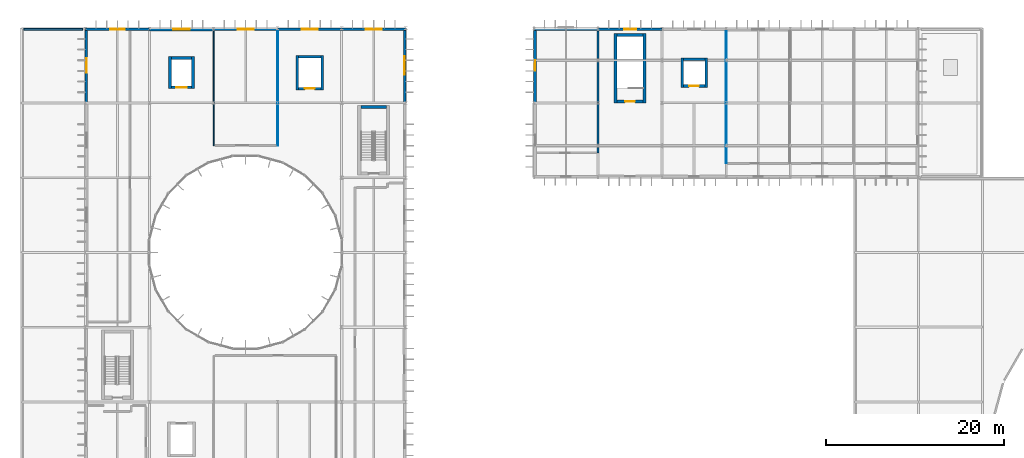
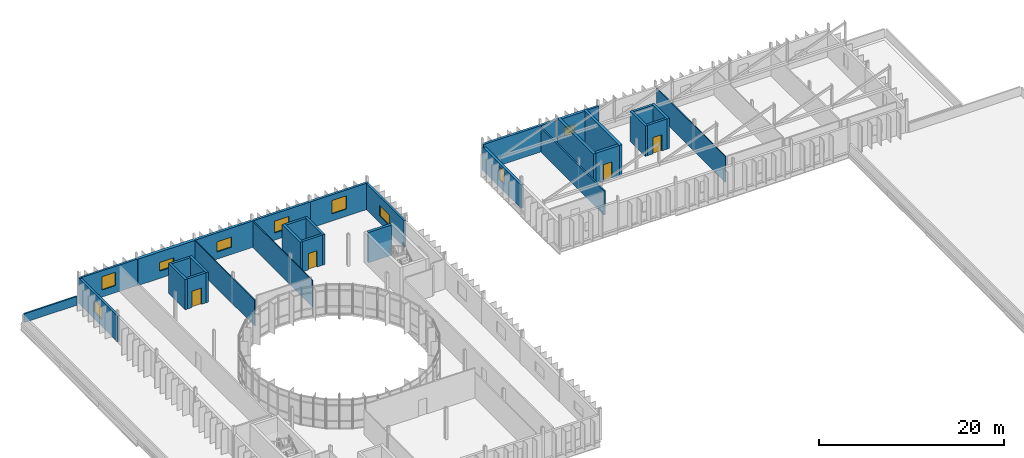
# One storey, part 41 of 52: 32 walls, 9 windows, 4 doors, 13 openings.
"""IFC4 building model written with IfcOpenShell, lengths in metres."""

from ifc_helpers import new_model, si_unit, direction, frame, frame_2d, origin, place, context, subcontext, project, spatial, rectangle, extrude, material, layer, layer_set, type_object, element, fill, save


model = new_model("IFC4")

# Units and contexts
model_context = context("Model", 3, precision=1e-05, world=origin(), true_north=direction((0.0, 1.0)))
body_context = subcontext(model_context, "Body", "Model", "MODEL_VIEW")
ifc_project = project(units=[si_unit("LENGTHUNIT", "METRE"), si_unit("AREAUNIT", "SQUARE_METRE"), si_unit("VOLUMEUNIT", "CUBIC_METRE"), si_unit("PLANEANGLEUNIT", "RADIAN"), si_unit("MASSUNIT", "GRAM", prefix="KILO")], contexts=[model_context])

# Site, building, storey
site_placement = place(None, origin())
site = spatial("IfcSite", under=ifc_project, at=site_placement, CompositionType="ELEMENT")
building_placement = place(site_placement, origin())
building = spatial("IfcBuilding", under=site, at=building_placement, Name="Qelthora Terrace Specialist Clinic", CompositionType="ELEMENT")
storey_placement = place(building_placement, frame((0.0, 0.0, 17.39990234375)))
storey = spatial("IfcBuildingStorey", under=building, at=storey_placement, Name="L04", CompositionType="ELEMENT", Elevation=17.39990234375)

# Walls
ifc_material_1 = material(Name="Concrete C40/50", Category="concrete")
ifc_layer_1 = layer(ifc_material_1, 0.300048828125)
ifc_layer_set_1 = layer_set([ifc_layer_1], Name="Concrete C40/50")
wall_type_1 = type_object("IfcWallType", Name="WAL-CORE-300-C40", PredefinedType="SHEAR", material=ifc_layer_set_1)
for number, where, z_axis, x_axis, name in (
    (1, (31.0, 102.25, 0.0), (0.0, 0.0, 1.0), (0.0, 1.0, 0.0), "Lift SL-02 L04 west shaft wall"),
    (2, (33.800048828125, 102.25, 0.0), (0.0, 0.0, 1.0), (0.0, 1.0, 0.0), "Lift SL-02 L04 east shaft wall"),
):
    element("IfcWall", number, at=place(storey_placement, frame(where, z_axis=z_axis, x_axis=x_axis)), inside=storey, type_object=wall_type_1, Name=name, PredefinedType="SHEAR", context=body_context, shape_type="SweptSolid", body=[
        extrude(rectangle(XDim=3.89990234375, YDim=0.300048828125, at=frame_2d((1.949951171875, 0.0))), origin(), (0.0, 0.0, 1.0), 3.989990234375),
    ])
wall_1_placement = place(storey_placement, frame((31.14990234375, 106.0, 0.0), z_axis=(0.0, 0.0, 1.0), x_axis=(1.0, 0.0, 0.0)))
element("IfcWall", 3, at=wall_1_placement, inside=storey, type_object=wall_type_1, Name="Lift SL-02 L04 north shaft wall", PredefinedType="SHEAR", context=body_context, shape_type="SweptSolid", body=[
    extrude(rectangle(XDim=2.5, YDim=0.300048828125, at=frame_2d((1.25, 0.0))), origin(), (0.0, 0.0, 1.0), 3.989990234375),
])

# Wall, opening, door
wall_2_placement = place(storey_placement, frame((31.14990234375, 102.39990234375, 0.0), z_axis=(0.0, 0.0, 1.0), x_axis=(1.0, 0.0, 0.0)))
wall_2 = element("IfcWall", 4, at=wall_2_placement, inside=storey, type_object=wall_type_1, Name="Lift SL-02 L04 south shaft wall", PredefinedType="SHEAR", context=body_context, shape_type="SweptSolid", body=[
    extrude(rectangle(XDim=2.5, YDim=0.300048828125, at=frame_2d((1.25, 0.0))), origin(), (0.0, 0.0, 1.0), 3.989990234375),
])
opening_1_placement = place(wall_2_placement, frame((0.699951171875, 0.0, 0.0)))
opening_1 = element("IfcOpeningElement", 5, at=opening_1_placement, cuts=wall_2, Name="Opening LD-SL-02-L04", PredefinedType="OPENING", context=body_context, shape_type="SweptSolid", body=[
    extrude(rectangle(XDim=1.10009765625, YDim=2.14990234375, at=frame_2d((0.550048828125, 1.074951171875))), frame((0.0, 0.159912109375, 0.0), z_axis=(0.0, -1.0, 0.0), x_axis=(1.0, 0.0, 0.0)), (0.0, 0.0, 1.0), 0.320068359375),
])
ifc_material_2 = material(Name="Steel S355", Category="steel")
door_type_1 = type_object("IfcDoorType", Name="DOR-LIFT-1100X2150", OperationType="NOTDEFINED", PredefinedType="DOOR", material=ifc_material_2)
door_1_placement = place(opening_1_placement, origin())
door_1 = element("IfcDoor", 6, at=door_1_placement, inside=storey, type_object=door_type_1, Name="Lift landing sliding door LD-SL-02-L04", OperationType="DOUBLE_DOOR_SLIDING", OverallHeight=2.14990234375, OverallWidth=1.10009765625, PredefinedType="DOOR", context=body_context, shape_type="SweptSolid", body=[
    extrude(rectangle(XDim=1.10009765625, YDim=2.14990234375, at=frame_2d((0.550048828125, 1.074951171875))), frame((0.0, 0.02490234375, 0.0), z_axis=(0.0, -1.0, 0.0), x_axis=(1.0, 0.0, 0.0)), (0.0, 0.0, 1.0), 0.050048828125),
])
fill(opening_1, door_1)

# Walls
for number, where, z_axis, x_axis, name in (
    (7, (74.25, 102.550048828125, 0.0), (0.0, 0.0, 1.0), (0.0, 1.0, 0.0), "Lift PL-04 L04 west shaft wall"),
    (8, (76.949951171875, 102.550048828125, 0.0), (0.0, 0.0, 1.0), (0.0, 1.0, 0.0), "Lift PL-04 L04 east shaft wall"),
):
    element("IfcWall", number, at=place(storey_placement, frame(where, z_axis=z_axis, x_axis=x_axis)), inside=storey, type_object=wall_type_1, Name=name, PredefinedType="SHEAR", context=body_context, shape_type="SweptSolid", body=[
        extrude(rectangle(XDim=3.300048828125, YDim=0.300048828125, at=frame_2d((1.64990234375, 0.0))), origin(), (0.0, 0.0, 1.0), 4.0),
    ])
wall_3_placement = place(storey_placement, frame((74.39990234375, 105.699951171875, 0.0), z_axis=(0.0, 0.0, 1.0), x_axis=(1.0, 0.0, 0.0)))
element("IfcWall", 9, at=wall_3_placement, inside=storey, type_object=wall_type_1, Name="Lift PL-04 L04 north shaft wall", PredefinedType="SHEAR", context=body_context, shape_type="SweptSolid", body=[
    extrude(rectangle(XDim=2.400146484375, YDim=0.300048828125, at=frame_2d((1.2001953125, 0.0))), origin(), (0.0, 0.0, 1.0), 4.0),
])

# Wall, opening, door
wall_4_placement = place(storey_placement, frame((74.39990234375, 102.699951171875, 0.0), z_axis=(0.0, 0.0, 1.0), x_axis=(1.0, 0.0, 0.0)))
wall_4 = element("IfcWall", 10, at=wall_4_placement, inside=storey, type_object=wall_type_1, Name="Lift PL-04 L04 south shaft wall", PredefinedType="SHEAR", context=body_context, shape_type="SweptSolid", body=[
    extrude(rectangle(XDim=2.400146484375, YDim=0.300048828125, at=frame_2d((1.2001953125, 0.0))), origin(), (0.0, 0.0, 1.0), 4.0),
])
opening_2_placement = place(wall_4_placement, frame((0.64990234375, 0.0, 0.0)))
opening_2 = element("IfcOpeningElement", 11, at=opening_2_placement, cuts=wall_4, Name="Opening LD-PL-04-L04", PredefinedType="OPENING", context=body_context, shape_type="SweptSolid", body=[
    extrude(rectangle(XDim=1.10009765625, YDim=2.14990234375, at=frame_2d((0.550048828125, 1.074951171875))), frame((0.0, 0.159912109375, 0.0), z_axis=(0.0, -1.0, 0.0), x_axis=(1.0, 0.0, 0.0)), (0.0, 0.0, 1.0), 0.320068359375),
])
door_2_placement = place(opening_2_placement, origin())
door_2 = element("IfcDoor", 12, at=door_2_placement, inside=storey, type_object=door_type_1, Name="Lift landing sliding door LD-PL-04-L04", OperationType="DOUBLE_DOOR_SLIDING", OverallHeight=2.14990234375, OverallWidth=1.10009765625, PredefinedType="DOOR", context=body_context, shape_type="SweptSolid", body=[
    extrude(rectangle(XDim=1.10009765625, YDim=2.14990234375, at=frame_2d((0.550048828125, 1.074951171875))), frame((0.0, 0.02490234375, 0.0), z_axis=(0.0, -1.0, 0.0), x_axis=(1.0, 0.0, 0.0)), (0.0, 0.0, 1.0), 0.050048828125),
])
fill(opening_2, door_2)

# Walls
for number, where, z_axis, x_axis, name in (
    (13, (16.699951171875, 102.39990234375, 0.0), (0.0, 0.0, 1.0), (0.0, 1.0, 0.0), "Lift GL-01 L04 west shaft wall"),
    (14, (19.300048828125, 102.39990234375, 0.0), (0.0, 0.0, 1.0), (0.0, 1.0, 0.0), "Lift GL-01 L04 east shaft wall"),
):
    element("IfcWall", number, at=place(storey_placement, frame(where, z_axis=z_axis, x_axis=x_axis)), inside=storey, type_object=wall_type_1, Name=name, PredefinedType="SHEAR", context=body_context, shape_type="SweptSolid", body=[
        extrude(rectangle(XDim=3.60009765625, YDim=0.300048828125, at=frame_2d((1.800048828125, 0.0))), origin(), (0.0, 0.0, 1.0), 3.97509765625),
    ])
wall_5_placement = place(storey_placement, frame((16.85009765625, 105.85009765625, 0.0), z_axis=(0.0, 0.0, 1.0), x_axis=(1.0, 0.0, 0.0)))
element("IfcWall", 15, at=wall_5_placement, inside=storey, type_object=wall_type_1, Name="Lift GL-01 L04 north shaft wall", PredefinedType="SHEAR", context=body_context, shape_type="SweptSolid", body=[
    extrude(rectangle(XDim=2.2998046875, YDim=0.300048828125, at=frame_2d((1.14990234375, 0.0))), origin(), (0.0, 0.0, 1.0), 3.97509765625),
])

# Wall, opening, door
wall_6_placement = place(storey_placement, frame((16.85009765625, 102.550048828125, 0.0), z_axis=(0.0, 0.0, 1.0), x_axis=(1.0, 0.0, 0.0)))
wall_6 = element("IfcWall", 16, at=wall_6_placement, inside=storey, type_object=wall_type_1, Name="Lift GL-01 L04 south shaft wall", PredefinedType="SHEAR", context=body_context, shape_type="SweptSolid", body=[
    extrude(rectangle(XDim=2.2998046875, YDim=0.300048828125, at=frame_2d((1.14990234375, 0.0))), origin(), (0.0, 0.0, 1.0), 3.97509765625),
])
opening_3_placement = place(wall_6_placement, frame((0.550048828125, 0.0, 0.0)))
opening_3 = element("IfcOpeningElement", 17, at=opening_3_placement, cuts=wall_6, Name="Opening LD-GL-01-L04", PredefinedType="OPENING", context=body_context, shape_type="SweptSolid", body=[
    extrude(rectangle(XDim=1.199951171875, YDim=2.14990234375, at=frame_2d((0.60009765625, 1.074951171875))), frame((0.0, 0.159912109375, 0.0), z_axis=(0.0, -1.0, 0.0), x_axis=(1.0, 0.0, 0.0)), (0.0, 0.0, 1.0), 0.320068359375),
])
door_type_2 = type_object("IfcDoorType", Name="DOR-LIFT-1200X2150", OperationType="NOTDEFINED", PredefinedType="DOOR", material=ifc_material_2)
door_3_placement = place(opening_3_placement, origin())
door_3 = element("IfcDoor", 18, at=door_3_placement, inside=storey, type_object=door_type_2, Name="Lift landing sliding door LD-GL-01-L04", OperationType="DOUBLE_DOOR_SLIDING", OverallHeight=2.14990234375, OverallWidth=1.199951171875, PredefinedType="DOOR", context=body_context, shape_type="SweptSolid", body=[
    extrude(rectangle(XDim=1.199951171875, YDim=2.14990234375, at=frame_2d((0.60009765625, 1.074951171875))), frame((0.0, 0.02490234375, 0.0), z_axis=(0.0, -1.0, 0.0), x_axis=(1.0, 0.0, 0.0)), (0.0, 0.0, 1.0), 0.050048828125),
])
fill(opening_3, door_3)

# Walls
ifc_layer_2 = layer(ifc_material_1, 0.35009765625)
ifc_layer_set_2 = layer_set([ifc_layer_2], Name="Concrete C40/50")
wall_type_2 = type_object("IfcWallType", Name="WAL-CORE-350-C40", PredefinedType="SHEAR", material=ifc_layer_set_2)
wall_7_placement = place(storey_placement, frame((38.14990234375, 100.324951171875, 0.0), z_axis=(0.0, 0.0, 1.0), x_axis=(1.0, 0.0, 0.0)))
element("IfcWall", 19, at=wall_7_placement, inside=storey, type_object=wall_type_2, Name="ST-02 L04 north shear core wall", PredefinedType="SHEAR", context=body_context, shape_type="SweptSolid", body=[
    extrude(rectangle(XDim=2.900146484375, YDim=0.35009765625, at=frame_2d((1.4501953125, 0.0))), origin(), (0.0, 0.0, 1.0), 3.989990234375),
])
for number, where, z_axis, x_axis, name in (
    (20, (66.77490234375, 100.800048828125, 0.0), (0.0, 0.0, 1.0), (0.0, 1.0, 0.0), "ST-07 L04 west shear core wall"),
    (21, (70.02490234375, 100.800048828125, 0.0), (0.0, 0.0, 1.0), (0.0, 1.0, 0.0), "ST-07 L04 east shear core wall"),
):
    element("IfcWall", number, at=place(storey_placement, frame(where, z_axis=z_axis, x_axis=x_axis)), inside=storey, type_object=wall_type_2, Name=name, PredefinedType="SHEAR", context=body_context, shape_type="SweptSolid", body=[
        extrude(rectangle(XDim=7.800048828125, YDim=0.35009765625, at=frame_2d((3.89990234375, 0.0))), origin(), (0.0, 0.0, 1.0), 4.0),
    ])
wall_8_placement = place(storey_placement, frame((66.949951171875, 108.425048828125, 0.0), z_axis=(0.0, 0.0, 1.0), x_axis=(1.0, 0.0, 0.0)))
element("IfcWall", 22, at=wall_8_placement, inside=storey, type_object=wall_type_2, Name="ST-07 L04 north shear core wall", PredefinedType="SHEAR", context=body_context, shape_type="SweptSolid", body=[
    extrude(rectangle(XDim=2.900146484375, YDim=0.35009765625, at=frame_2d((1.4501953125, 0.0))), origin(), (0.0, 0.0, 1.0), 4.0),
])

# Wall, opening, door
wall_9_placement = place(storey_placement, frame((66.949951171875, 100.97509765625, 0.0), z_axis=(0.0, 0.0, 1.0), x_axis=(1.0, 0.0, 0.0)))
wall_9 = element("IfcWall", 23, at=wall_9_placement, inside=storey, type_object=wall_type_2, Name="ST-07 L04 south shear core wall", PredefinedType="SHEAR", context=body_context, shape_type="SweptSolid", body=[
    extrude(rectangle(XDim=2.900146484375, YDim=0.35009765625, at=frame_2d((1.4501953125, 0.0))), origin(), (0.0, 0.0, 1.0), 4.0),
])
opening_4_placement = place(wall_9_placement, frame((0.89990234375, 0.0, 0.0)))
opening_4 = element("IfcOpeningElement", 24, at=opening_4_placement, cuts=wall_9, Name="Opening D-ST-07-L04", PredefinedType="OPENING", context=body_context, shape_type="SweptSolid", body=[
    extrude(rectangle(XDim=1.10009765625, YDim=2.14990234375, at=frame_2d((0.550048828125, 1.074951171875))), frame((0.0, 0.18505859375, 0.0), z_axis=(0.0, -1.0, 0.0), x_axis=(1.0, 0.0, 0.0)), (0.0, 0.0, 1.0), 0.3701171875),
])
door_type_3 = type_object("IfcDoorType", Name="DOR-STAIR-1100X2150", OperationType="NOTDEFINED", PredefinedType="DOOR", material=ifc_material_2)
door_4_placement = place(opening_4_placement, origin())
door_4 = element("IfcDoor", 25, at=door_4_placement, inside=storey, type_object=door_type_3, Name="Stair fire door D-ST-07-L04", OperationType="SINGLE_SWING_LEFT", OverallHeight=2.14990234375, OverallWidth=1.10009765625, PredefinedType="DOOR", context=body_context, shape_type="SweptSolid", body=[
    extrude(rectangle(XDim=1.10009765625, YDim=2.14990234375, at=frame_2d((0.550048828125, 1.074951171875))), frame((0.0, 0.02490234375, 0.0), z_axis=(0.0, -1.0, 0.0), x_axis=(1.0, 0.0, 0.0)), (0.0, 0.0, 1.0), 0.050048828125),
])
fill(opening_4, door_4)

# Wall, opening, window
ifc_material_3 = material(Name="Precast concrete C40/50", Category="concrete")
ifc_layer_3 = layer(ifc_material_3, 0.260009765625)
ifc_layer_set_3 = layer_set([ifc_layer_3], Name="Precast concrete C40/50")
wall_type_3 = type_object("IfcWallType", Name="WAL-EXT-260-PC40", PredefinedType="SOLIDWALL", material=ifc_layer_set_3)
wall_10_placement = place(storey_placement, frame((7.199951171875, 109.080078125, 0.0), z_axis=(0.0, 0.0, 1.0), x_axis=(1.0, 0.0, 0.0)))
wall_10 = element("IfcWall", 26, at=wall_10_placement, inside=storey, type_object=wall_type_3, Name="L04 external precast wall 384", PredefinedType="SOLIDWALL", context=body_context, shape_type="SweptSolid", body=[
    extrude(rectangle(XDim=7.199951171875, YDim=0.260009765625, at=frame_2d((3.60009765625, 0.0))), origin(), (0.0, 0.0, 1.0), 3.482177734375),
])
opening_5_placement = place(wall_10_placement, frame((2.77490234375, 0.0, 0.949951171875)))
opening_5 = element("IfcOpeningElement", 27, at=opening_5_placement, cuts=wall_10, Name="Opening WN-L04-340", PredefinedType="OPENING", context=body_context, shape_type="SweptSolid", body=[
    extrude(rectangle(XDim=1.64990234375, YDim=1.75, at=frame_2d((0.824951171875, 0.875))), frame((0.0, 0.139892578125, 0.0), z_axis=(0.0, -1.0, 0.0), x_axis=(1.0, 0.0, 0.0)), (0.0, 0.0, 1.0), 0.280029296875),
])
ifc_material_4 = material(Name="Low-E triple-silver insulating glass", Category="glass")
window_type_1 = type_object("IfcWindowType", Name="WIN-1650X1750", PartitioningType="DOUBLE_PANEL_VERTICAL", PredefinedType="WINDOW", material=ifc_material_4)
window_1_placement = place(opening_5_placement, origin())
window_1 = element("IfcWindow", 28, at=window_1_placement, inside=storey, type_object=window_type_1, Name="Clinical window WN-L04-340", OverallHeight=1.75, OverallWidth=1.64990234375, PartitioningType="SINGLE_PANEL", PredefinedType="WINDOW", context=body_context, shape_type="SweptSolid", body=[
    extrude(rectangle(XDim=1.64990234375, YDim=1.75, at=frame_2d((0.824951171875, 0.875))), frame((0.0, 0.030029296875, 0.0), z_axis=(0.0, -1.0, 0.0), x_axis=(1.0, 0.0, 0.0)), (0.0, 0.0, 1.0), 0.06005859375),
])
fill(opening_5, window_1)

wall_11_placement = place(storey_placement, frame((43.080078125, 100.800048828125, 0.0), z_axis=(0.0, 0.0, 1.0), x_axis=(0.0, 1.0, 0.0)))
wall_11 = element("IfcWall", 29, at=wall_11_placement, inside=storey, type_object=wall_type_3, Name="L04 external precast wall 394", PredefinedType="SOLIDWALL", context=body_context, shape_type="SweptSolid", body=[
    extrude(rectangle(XDim=8.39990234375, YDim=0.260009765625, at=frame_2d((4.199951171875, 0.0))), origin(), (0.0, 0.0, 1.0), 3.482177734375),
])
opening_6_placement = place(wall_11_placement, frame((3.14990234375, 0.0, 0.949951171875)))
opening_6 = element("IfcOpeningElement", 30, at=opening_6_placement, cuts=wall_11, Name="Opening WN-L04-350", PredefinedType="OPENING", context=body_context, shape_type="SweptSolid", body=[
    extrude(rectangle(XDim=2.10009765625, YDim=1.35009765625, at=frame_2d((1.050048828125, 0.675048828125))), frame((0.0, 0.139892578125, 0.0), z_axis=(0.0, -1.0, 0.0), x_axis=(1.0, 0.0, 0.0)), (0.0, 0.0, 1.0), 0.280029296875),
])
window_type_2 = type_object("IfcWindowType", Name="WIN-2100X1350", PartitioningType="DOUBLE_PANEL_VERTICAL", PredefinedType="WINDOW", material=ifc_material_4)
window_2_placement = place(opening_6_placement, origin())
window_2 = element("IfcWindow", 31, at=window_2_placement, inside=storey, type_object=window_type_2, Name="Clinical window WN-L04-350", OverallHeight=1.35009765625, OverallWidth=2.10009765625, PartitioningType="SINGLE_PANEL", PredefinedType="WINDOW", context=body_context, shape_type="SweptSolid", body=[
    extrude(rectangle(XDim=2.10009765625, YDim=1.35009765625, at=frame_2d((1.050048828125, 0.675048828125))), frame((0.0, 0.030029296875, 0.0), z_axis=(0.0, -1.0, 0.0), x_axis=(1.0, 0.0, 0.0)), (0.0, 0.0, 1.0), 0.06005859375),
])
fill(opening_6, window_2)

ifc_layer_4 = layer(ifc_material_3, 0.280029296875)
ifc_layer_set_4 = layer_set([ifc_layer_4], Name="Precast concrete C40/50")
wall_type_4 = type_object("IfcWallType", Name="WAL-EXT-280-PC40", PredefinedType="SOLIDWALL", material=ifc_layer_set_4)
wall_12_placement = place(storey_placement, frame((64.800048828125, 109.080078125, 0.0), z_axis=(0.0, 0.0, 1.0), x_axis=(1.0, 0.0, 0.0)))
wall_12 = element("IfcWall", 32, at=wall_12_placement, inside=storey, type_object=wall_type_4, Name="L04 external precast wall 373", PredefinedType="SOLIDWALL", context=body_context, shape_type="SweptSolid", body=[
    extrude(rectangle(XDim=7.199951171875, YDim=0.280029296875, at=frame_2d((3.60009765625, 0.0))), origin(), (0.0, 0.0, 1.0), 3.482177734375),
])
opening_7_placement = place(wall_12_placement, frame((2.925048828125, 0.0, 0.949951171875)))
opening_7 = element("IfcOpeningElement", 33, at=opening_7_placement, cuts=wall_12, Name="Opening WN-L04-329", PredefinedType="OPENING", context=body_context, shape_type="SweptSolid", body=[
    extrude(rectangle(XDim=1.35009765625, YDim=1.14990234375, at=frame_2d((0.675048828125, 0.574951171875))), frame((0.0, 0.14990234375, 0.0), z_axis=(0.0, -1.0, 0.0), x_axis=(1.0, 0.0, 0.0)), (0.0, 0.0, 1.0), 0.300048828125),
])
window_type_3 = type_object("IfcWindowType", Name="WIN-1350X1150", PartitioningType="SINGLE_PANEL", PredefinedType="WINDOW", material=ifc_material_4)
window_3_placement = place(opening_7_placement, origin())
window_3 = element("IfcWindow", 34, at=window_3_placement, inside=storey, type_object=window_type_3, Name="Clinical window WN-L04-329", OverallHeight=1.14990234375, OverallWidth=1.35009765625, PartitioningType="SINGLE_PANEL", PredefinedType="WINDOW", context=body_context, shape_type="SweptSolid", body=[
    extrude(rectangle(XDim=1.35009765625, YDim=1.14990234375, at=frame_2d((0.675048828125, 0.574951171875))), frame((0.0, 0.030029296875, 0.0), z_axis=(0.0, -1.0, 0.0), x_axis=(1.0, 0.0, 0.0)), (0.0, 0.0, 1.0), 0.06005859375),
])
fill(opening_7, window_3)

wall_13_placement = place(storey_placement, frame((7.320068359375, 100.800048828125, 0.0), z_axis=(0.0, 0.0, 1.0), x_axis=(0.0, 1.0, 0.0)))
wall_13 = element("IfcWall", 35, at=wall_13_placement, inside=storey, type_object=wall_type_4, Name="L04 external precast wall 383", PredefinedType="SOLIDWALL", context=body_context, shape_type="SweptSolid", body=[
    extrude(rectangle(XDim=8.39990234375, YDim=0.280029296875, at=frame_2d((4.199951171875, 0.0))), origin(), (0.0, 0.0, 1.0), 3.405029296875),
])
opening_8_placement = place(wall_13_placement, frame((3.375, 0.0, 0.949951171875)))
opening_8 = element("IfcOpeningElement", 36, at=opening_8_placement, cuts=wall_13, Name="Opening WN-L04-339", PredefinedType="OPENING", context=body_context, shape_type="SweptSolid", body=[
    extrude(rectangle(XDim=1.64990234375, YDim=1.550048828125, at=frame_2d((0.824951171875, 0.77490234375))), frame((0.0, 0.14990234375, 0.0), z_axis=(0.0, -1.0, 0.0), x_axis=(1.0, 0.0, 0.0)), (0.0, 0.0, 1.0), 0.300048828125),
])
window_type_4 = type_object("IfcWindowType", Name="WIN-1650X1550", PartitioningType="DOUBLE_PANEL_VERTICAL", PredefinedType="WINDOW", material=ifc_material_4)
window_4_placement = place(opening_8_placement, origin())
window_4 = element("IfcWindow", 37, at=window_4_placement, inside=storey, type_object=window_type_4, Name="Clinical window WN-L04-339", OverallHeight=1.550048828125, OverallWidth=1.64990234375, PartitioningType="SINGLE_PANEL", PredefinedType="WINDOW", context=body_context, shape_type="SweptSolid", body=[
    extrude(rectangle(XDim=1.64990234375, YDim=1.550048828125, at=frame_2d((0.824951171875, 0.77490234375))), frame((0.0, 0.030029296875, 0.0), z_axis=(0.0, -1.0, 0.0), x_axis=(1.0, 0.0, 0.0)), (0.0, 0.0, 1.0), 0.06005859375),
])
fill(opening_8, window_4)

wall_14_placement = place(storey_placement, frame((36.0, 109.080078125, 0.0), z_axis=(0.0, 0.0, 1.0), x_axis=(1.0, 0.0, 0.0)))
wall_14 = element("IfcWall", 38, at=wall_14_placement, inside=storey, type_object=wall_type_4, Name="L04 external precast wall 388", PredefinedType="SOLIDWALL", context=body_context, shape_type="SweptSolid", body=[
    extrude(rectangle(XDim=7.199951171875, YDim=0.280029296875, at=frame_2d((3.60009765625, 0.0))), origin(), (0.0, 0.0, 1.0), 3.482177734375),
])
opening_9_placement = place(wall_14_placement, frame((2.699951171875, 0.0, 0.949951171875)))
opening_9 = element("IfcOpeningElement", 39, at=opening_9_placement, cuts=wall_14, Name="Opening WN-L04-344", PredefinedType="OPENING", context=body_context, shape_type="SweptSolid", body=[
    extrude(rectangle(XDim=1.800048828125, YDim=1.75, at=frame_2d((0.89990234375, 0.875))), frame((0.0, 0.14990234375, 0.0), z_axis=(0.0, -1.0, 0.0), x_axis=(1.0, 0.0, 0.0)), (0.0, 0.0, 1.0), 0.300048828125),
])
window_type_5 = type_object("IfcWindowType", Name="WIN-1800X1750", PartitioningType="DOUBLE_PANEL_VERTICAL", PredefinedType="WINDOW", material=ifc_material_4)
window_5_placement = place(opening_9_placement, origin())
window_5 = element("IfcWindow", 40, at=window_5_placement, inside=storey, type_object=window_type_5, Name="Clinical window WN-L04-344", OverallHeight=1.75, OverallWidth=1.800048828125, PartitioningType="SINGLE_PANEL", PredefinedType="WINDOW", context=body_context, shape_type="SweptSolid", body=[
    extrude(rectangle(XDim=1.800048828125, YDim=1.75, at=frame_2d((0.89990234375, 0.875))), frame((0.0, 0.030029296875, 0.0), z_axis=(0.0, -1.0, 0.0), x_axis=(1.0, 0.0, 0.0)), (0.0, 0.0, 1.0), 0.06005859375),
])
fill(opening_9, window_5)

# Wall
ifc_layer_5 = layer(ifc_material_3, 0.300048828125)
ifc_layer_set_5 = layer_set([ifc_layer_5], Name="Precast concrete C40/50")
wall_type_5 = type_object("IfcWallType", Name="WAL-EXT-300-PC40", PredefinedType="SOLIDWALL", material=ifc_layer_set_5)
wall_15_placement = place(storey_placement, frame((57.60009765625, 109.080078125, 0.0), z_axis=(0.0, 0.0, 1.0), x_axis=(1.0, 0.0, 0.0)))
element("IfcWall", 41, at=wall_15_placement, inside=storey, type_object=wall_type_5, Name="L04 external precast wall 372", PredefinedType="SOLIDWALL", context=body_context, shape_type="SweptSolid", body=[
    extrude(rectangle(XDim=7.199951171875, YDim=0.300048828125, at=frame_2d((3.60009765625, 0.0))), origin(), (0.0, 0.0, 1.0), 3.482177734375),
])

# Wall, opening, window
wall_16_placement = place(storey_placement, frame((28.800048828125, 109.080078125, 0.0), z_axis=(0.0, 0.0, 1.0), x_axis=(1.0, 0.0, 0.0)))
wall_16 = element("IfcWall", 42, at=wall_16_placement, inside=storey, type_object=wall_type_5, Name="L04 external precast wall 387", PredefinedType="SOLIDWALL", context=body_context, shape_type="SweptSolid", body=[
    extrude(rectangle(XDim=7.199951171875, YDim=0.300048828125, at=frame_2d((3.60009765625, 0.0))), origin(), (0.0, 0.0, 1.0), 3.482177734375),
])
opening_10_placement = place(wall_16_placement, frame((2.699951171875, 0.0, 0.949951171875)))
opening_10 = element("IfcOpeningElement", 43, at=opening_10_placement, cuts=wall_16, Name="Opening WN-L04-343", PredefinedType="OPENING", context=body_context, shape_type="SweptSolid", body=[
    extrude(rectangle(XDim=1.800048828125, YDim=1.550048828125, at=frame_2d((0.89990234375, 0.77490234375))), frame((0.0, 0.159912109375, 0.0), z_axis=(0.0, -1.0, 0.0), x_axis=(1.0, 0.0, 0.0)), (0.0, 0.0, 1.0), 0.320068359375),
])
window_type_6 = type_object("IfcWindowType", Name="WIN-1800X1550", PartitioningType="DOUBLE_PANEL_VERTICAL", PredefinedType="WINDOW", material=ifc_material_4)
window_6_placement = place(opening_10_placement, origin())
window_6 = element("IfcWindow", 44, at=window_6_placement, inside=storey, type_object=window_type_6, Name="Clinical window WN-L04-343", OverallHeight=1.550048828125, OverallWidth=1.800048828125, PartitioningType="SINGLE_PANEL", PredefinedType="WINDOW", context=body_context, shape_type="SweptSolid", body=[
    extrude(rectangle(XDim=1.800048828125, YDim=1.550048828125, at=frame_2d((0.89990234375, 0.77490234375))), frame((0.0, 0.030029296875, 0.0), z_axis=(0.0, -1.0, 0.0), x_axis=(1.0, 0.0, 0.0)), (0.0, 0.0, 1.0), 0.06005859375),
])
fill(opening_10, window_6)

ifc_layer_6 = layer(ifc_material_3, 0.320068359375)
ifc_layer_set_6 = layer_set([ifc_layer_6], Name="Precast concrete C40/50")
wall_type_6 = type_object("IfcWallType", Name="WAL-EXT-320-PC40", PredefinedType="SOLIDWALL", material=ifc_layer_set_6)
wall_17_placement = place(storey_placement, frame((57.719970703125, 100.800048828125, 0.0), z_axis=(0.0, 0.0, 1.0), x_axis=(0.0, 1.0, 0.0)))
wall_17 = element("IfcWall", 45, at=wall_17_placement, inside=storey, type_object=wall_type_6, Name="L04 external precast wall 371", PredefinedType="SOLIDWALL", context=body_context, shape_type="SweptSolid", body=[
    extrude(rectangle(XDim=8.39990234375, YDim=0.320068359375, at=frame_2d((4.199951171875, 0.0))), origin(), (0.0, 0.0, 1.0), 3.091064453125),
])
opening_11_placement = place(wall_17_placement, frame((3.60009765625, 0.0, 0.949951171875)))
opening_11 = element("IfcOpeningElement", 46, at=opening_11_placement, cuts=wall_17, Name="Opening WN-L04-328", PredefinedType="OPENING", context=body_context, shape_type="SweptSolid", body=[
    extrude(rectangle(XDim=1.199951171875, YDim=1.75, at=frame_2d((0.60009765625, 0.875))), frame((0.0, 0.169921875, 0.0), z_axis=(0.0, -1.0, 0.0), x_axis=(1.0, 0.0, 0.0)), (0.0, 0.0, 1.0), 0.340087890625),
])
window_type_7 = type_object("IfcWindowType", Name="WIN-1200X1750", PartitioningType="SINGLE_PANEL", PredefinedType="WINDOW", material=ifc_material_4)
window_7_placement = place(opening_11_placement, origin())
window_7 = element("IfcWindow", 47, at=window_7_placement, inside=storey, type_object=window_type_7, Name="Clinical window WN-L04-328", OverallHeight=1.75, OverallWidth=1.199951171875, PartitioningType="SINGLE_PANEL", PredefinedType="WINDOW", context=body_context, shape_type="SweptSolid", body=[
    extrude(rectangle(XDim=1.199951171875, YDim=1.75, at=frame_2d((0.60009765625, 0.875))), frame((0.0, 0.030029296875, 0.0), z_axis=(0.0, -1.0, 0.0), x_axis=(1.0, 0.0, 0.0)), (0.0, 0.0, 1.0), 0.06005859375),
])
fill(opening_11, window_7)

wall_18_placement = place(storey_placement, frame((21.60009765625, 109.080078125, 0.0), z_axis=(0.0, 0.0, 1.0), x_axis=(1.0, 0.0, 0.0)))
wall_18 = element("IfcWall", 48, at=wall_18_placement, inside=storey, type_object=wall_type_6, Name="L04 external precast wall 386", PredefinedType="SOLIDWALL", context=body_context, shape_type="SweptSolid", body=[
    extrude(rectangle(XDim=7.199951171875, YDim=0.320068359375, at=frame_2d((3.60009765625, 0.0))), origin(), (0.0, 0.0, 1.0), 3.482177734375),
])
opening_12_placement = place(wall_18_placement, frame((2.699951171875, 0.0, 0.949951171875)))
opening_12 = element("IfcOpeningElement", 49, at=opening_12_placement, cuts=wall_18, Name="Opening WN-L04-342", PredefinedType="OPENING", context=body_context, shape_type="SweptSolid", body=[
    extrude(rectangle(XDim=1.800048828125, YDim=1.35009765625, at=frame_2d((0.89990234375, 0.675048828125))), frame((0.0, 0.169921875, 0.0), z_axis=(0.0, -1.0, 0.0), x_axis=(1.0, 0.0, 0.0)), (0.0, 0.0, 1.0), 0.340087890625),
])
window_type_8 = type_object("IfcWindowType", Name="WIN-1800X1350", PartitioningType="DOUBLE_PANEL_VERTICAL", PredefinedType="WINDOW", material=ifc_material_4)
window_8_placement = place(opening_12_placement, origin())
window_8 = element("IfcWindow", 50, at=window_8_placement, inside=storey, type_object=window_type_8, Name="Clinical window WN-L04-342", OverallHeight=1.35009765625, OverallWidth=1.800048828125, PartitioningType="SINGLE_PANEL", PredefinedType="WINDOW", context=body_context, shape_type="SweptSolid", body=[
    extrude(rectangle(XDim=1.800048828125, YDim=1.35009765625, at=frame_2d((0.89990234375, 0.675048828125))), frame((0.0, 0.030029296875, 0.0), z_axis=(0.0, -1.0, 0.0), x_axis=(1.0, 0.0, 0.0)), (0.0, 0.0, 1.0), 0.06005859375),
])
fill(opening_12, window_8)

ifc_layer_7 = layer(ifc_material_3, 0.3798828125)
ifc_layer_set_7 = layer_set([ifc_layer_7], Name="Precast concrete C40/50")
wall_type_7 = type_object("IfcWallType", Name="WAL-EXT-380-PC40", PredefinedType="SOLIDWALL", material=ifc_layer_set_7)
wall_19_placement = place(storey_placement, frame((14.39990234375, 109.080078125, 0.0), z_axis=(0.0, 0.0, 1.0), x_axis=(1.0, 0.0, 0.0)))
wall_19 = element("IfcWall", 51, at=wall_19_placement, inside=storey, type_object=wall_type_7, Name="L04 external precast wall 385", PredefinedType="SOLIDWALL", context=body_context, shape_type="SweptSolid", body=[
    extrude(rectangle(XDim=7.2001953125, YDim=0.3798828125, at=frame_2d((3.60009765625, 0.0))), origin(), (0.0, 0.0, 1.0), 3.482177734375),
])
opening_13_placement = place(wall_19_placement, frame((2.699951171875, 0.0, 0.949951171875)))
opening_13 = element("IfcOpeningElement", 52, at=opening_13_placement, cuts=wall_19, Name="Opening WN-L04-341", PredefinedType="OPENING", context=body_context, shape_type="SweptSolid", body=[
    extrude(rectangle(XDim=1.800048828125, YDim=1.14990234375, at=frame_2d((0.89990234375, 0.574951171875))), frame((0.0, 0.199951171875, 0.0), z_axis=(0.0, -1.0, 0.0), x_axis=(1.0, 0.0, 0.0)), (0.0, 0.0, 1.0), 0.39990234375),
])
window_type_9 = type_object("IfcWindowType", Name="WIN-1800X1150", PartitioningType="DOUBLE_PANEL_VERTICAL", PredefinedType="WINDOW", material=ifc_material_4)
window_9_placement = place(opening_13_placement, origin())
window_9 = element("IfcWindow", 53, at=window_9_placement, inside=storey, type_object=window_type_9, Name="Clinical window WN-L04-341", OverallHeight=1.14990234375, OverallWidth=1.800048828125, PartitioningType="SINGLE_PANEL", PredefinedType="WINDOW", context=body_context, shape_type="SweptSolid", body=[
    extrude(rectangle(XDim=1.800048828125, YDim=1.14990234375, at=frame_2d((0.89990234375, 0.574951171875))), frame((0.0, 0.030029296875, 0.0), z_axis=(0.0, -1.0, 0.0), x_axis=(1.0, 0.0, 0.0)), (0.0, 0.0, 1.0), 0.06005859375),
])
fill(opening_13, window_9)

# Walls
ifc_material_5 = material(Name="Gypsum fire-rated wallboard", Category="gypsum")
ifc_layer_8 = layer(ifc_material_5, 0.179931640625)
ifc_layer_set_8 = layer_set([ifc_layer_8], Name="Gypsum fire-rated wallboard")
wall_type_8 = type_object("IfcWallType", Name="WAL-INT-CLN-180", PredefinedType="PARTITIONING", material=ifc_layer_set_8)
wall_20_placement = place(storey_placement, frame((64.800048828125, 108.860107421875, 0.0), z_axis=(0.0, 0.0, 1.0), x_axis=(0.0, -1.0, 0.0)))
element("IfcWall", 54, at=wall_20_placement, inside=storey, type_object=wall_type_8, Name="Interior clinical partition IWAL-L04-0388", PredefinedType="PARTITIONING", context=body_context, shape_type="SweptSolid", body=[
    extrude(rectangle(XDim=13.66015625, YDim=0.179931640625, at=frame_2d((6.830078125, 0.0))), origin(), (0.0, 0.0, 1.0), 3.175048828125),
])
ifc_layer_9 = layer(ifc_material_4, 0.110107421875)
ifc_layer_set_9 = layer_set([ifc_layer_9], Name="Low-E triple-silver insulating glass")
wall_type_9 = type_object("IfcWallType", Name="WAL-INT-GLA-110", PredefinedType="MOVABLE", material=ifc_layer_set_9)
wall_21_placement = place(storey_placement, frame((28.800048828125, 108.860107421875, 0.0), z_axis=(0.0, 0.0, 1.0), x_axis=(0.0, -1.0, 0.0)))
element("IfcWall", 55, at=wall_21_placement, inside=storey, type_object=wall_type_9, Name="Interior clinical partition IWAL-L04-0375", PredefinedType="MOVABLE", context=body_context, shape_type="SweptSolid", body=[
    extrude(rectangle(XDim=12.860107421875, YDim=0.110107421875, at=frame_2d((6.43017578125, 0.0))), origin(), (0.0, 0.0, 1.0), 3.47900390625),
])
wall_22_placement = place(storey_placement, frame((79.199951171875, 94.0, 0.0), z_axis=(0.0, 0.0, 1.0), x_axis=(0.0, 1.0, 0.0)))
element("IfcWall", 56, at=wall_22_placement, inside=storey, type_object=wall_type_9, Name="Interior clinical partition IWAL-L04-0382", PredefinedType="MOVABLE", context=body_context, shape_type="SweptSolid", body=[
    extrude(rectangle(XDim=14.860107421875, YDim=0.110107421875, at=frame_2d((7.43017578125, 0.0))), origin(), (0.0, 0.0, 1.0), 3.408203125),
])
ifc_material_6 = material(Name="Gypsum acoustic wallboard", Category="gypsum")
ifc_layer_10 = layer(ifc_material_6, 0.1201171875)
ifc_layer_set_10 = layer_set([ifc_layer_10], Name="Gypsum acoustic wallboard")
wall_type_10 = type_object("IfcWallType", Name="WAL-INT-STD-120", PredefinedType="PARTITIONING", material=ifc_layer_set_10)
wall_23_placement = place(storey_placement, frame((21.60009765625, 96.0, 0.0), z_axis=(0.0, 0.0, 1.0), x_axis=(0.0, 1.0, 0.0)))
element("IfcWall", 57, at=wall_23_placement, inside=storey, type_object=wall_type_10, Name="Interior clinical partition IWAL-L04-0374", PredefinedType="PARTITIONING", context=body_context, shape_type="SweptSolid", body=[
    extrude(rectangle(XDim=12.860107421875, YDim=0.1201171875, at=frame_2d((6.43017578125, 0.0))), origin(), (0.0, 0.0, 1.0), 3.401123046875),
])
ifc_layer_11 = layer(ifc_material_3, 0.18994140625)
ifc_layer_set_11 = layer_set([ifc_layer_11], Name="Precast concrete C40/50")
wall_type_11 = type_object("IfcWallType", Name="WAL-PAR-190-PC40", PredefinedType="PARAPET", material=ifc_layer_set_11)
wall_24_placement = place(storey_placement, frame((0.277099609375, 109.090087890625, 0.0), z_axis=(0.0, 0.0, 1.0), x_axis=(1.0, 0.0, 0.0)))
element("IfcWall", 58, at=wall_24_placement, inside=storey, type_object=wall_type_11, Name="Roof perimeter parapet ROOF-V5-STP5A-1-3", PredefinedType="PARAPET", context=body_context, shape_type="SweptSolid", body=[
    extrude(rectangle(XDim=6.61328125, YDim=0.18994140625, at=frame_2d((3.306640625, 0.0))), origin(), (0.0, 0.0, 1.0), 1.150146484375),
])

save(model, "model.ifc")
